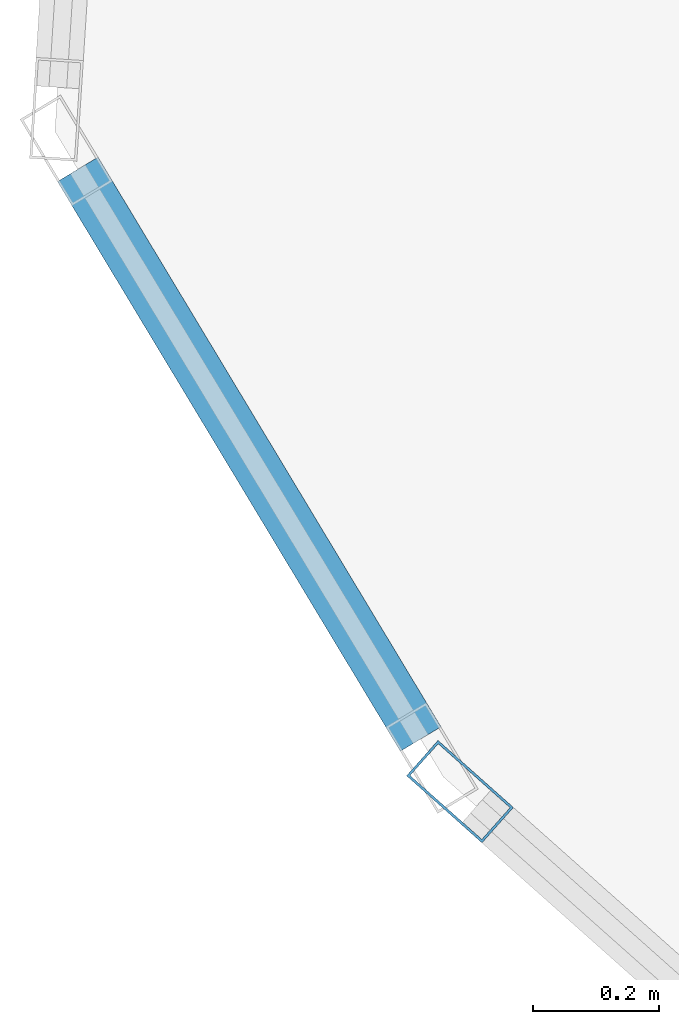
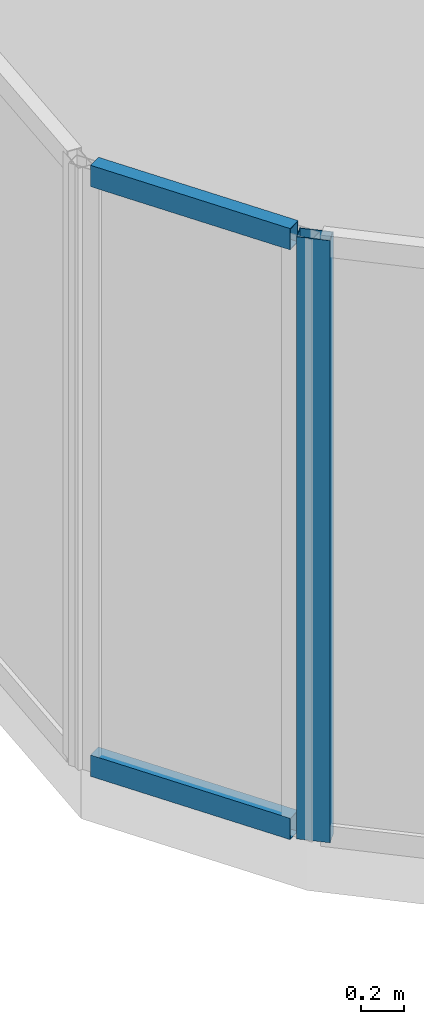
# One storey, part 4 of 27: 3 members, 2 elements without a shape of their own.
"""IFC4 building model written with IfcOpenShell, lengths in metres."""

from ifc_helpers import new_model, si_unit, direction, frame, origin, origin_2d, place, context, subcontext, project, spatial, hollow_rectangle, extrude, material, layer, layer_set, material_profile, profile_set, type_object, element, aggregate, save


model = new_model("IFC4")

# Units and contexts
model_context = context("Model", 3, precision=1e-05, world=origin(), true_north=direction((0.0, 1.0)))
body_context = subcontext(model_context, "Body", "Model", "MODEL_VIEW")
ifc_project = project(units=[si_unit("LENGTHUNIT", "METRE"), si_unit("AREAUNIT", "SQUARE_METRE"), si_unit("VOLUMEUNIT", "CUBIC_METRE"), si_unit("PLANEANGLEUNIT", "RADIAN"), si_unit("MASSUNIT", "GRAM", prefix="KILO")], contexts=[model_context])

# Site, building, storey
site_placement = place(None, origin())
site = spatial("IfcSite", under=ifc_project, at=site_placement, CompositionType="ELEMENT")
building_placement = place(site_placement, origin())
building = spatial("IfcBuilding", under=site, at=building_placement, Name="Keshet Zoharim Tower", CompositionType="ELEMENT")
storey_placement = place(building_placement, frame((0.0, 0.0, 288.0)))
storey = spatial("IfcBuildingStorey", under=building, at=storey_placement, Name="L72", CompositionType="ELEMENT", Elevation=288.0)

# Curtain wall, member
ifc_material = material(Name="Aluminium 6063-T6", Category="aluminium")
ifc_layer = layer(ifc_material, 0.260009765625)
ifc_layer_set = layer_set([ifc_layer], Name="Aluminium 6063-T6")
curtain_wall_type = type_object("IfcCurtainWallType", Name="CW-SYS-06", PredefinedType="NOTDEFINED", material=ifc_layer_set)
curtain_wall_1_placement = place(storey_placement, origin())
curtain_wall_1 = element("IfcCurtainWall", 1, at=curtain_wall_1_placement, inside=storey, type_object=curtain_wall_type, Name="L72 Unitised Curtain Wall 16 Part 3", PredefinedType="NOTDEFINED")
ifc_material_profile_1 = material_profile(ifc_material, hollow_rectangle(XDim=0.074951171875, YDim=0.159912109375, WallThickness=0.00390625, at=origin_2d()), Name="MUL-75x160")
ifc_profile_set_1 = profile_set([ifc_material_profile_1], Name="Aluminium 6063-T6")
member_type_1 = type_object("IfcMemberType", Name="CWM-M15", PredefinedType="MULLION", material=ifc_profile_set_1)
member_1_placement = place(storey_placement, frame((4.061279296875, 21.7568359375, 0.0), z_axis=(0.0, 0.0, 1.0), x_axis=(-0.664363838836, -0.747409318679, 0.0)))
member_1 = element("IfcMember", 2, at=member_1_placement, type_object=member_type_1, Name="CW-06 mullion 2", PredefinedType="MULLION", context=body_context, shape_type="SweptSolid", body=[
    extrude(hollow_rectangle(XDim=0.074951171875, YDim=0.159912109375, WallThickness=0.00390625, at=origin_2d()), origin(), (0.0, 0.0, 1.0), 3.389892578125),
])
aggregate(curtain_wall_1, [member_1])

# Curtain wall, members
curtain_wall_2_placement = place(storey_placement, origin())
curtain_wall_2 = element("IfcCurtainWall", 3, at=curtain_wall_2_placement, inside=storey, type_object=curtain_wall_type, Name="L72 Unitised Curtain Wall 01", PredefinedType="NOTDEFINED")
ifc_material_profile_2 = material_profile(ifc_material, hollow_rectangle(XDim=0.074951171875, YDim=0.1201171875, WallThickness=0.00390625, at=origin_2d()), Name="TRN-75x120")
ifc_profile_set_2 = profile_set([ifc_material_profile_2], Name="Aluminium 6063-T6")
member_type_2 = type_object("IfcMemberType", Name="CWT-T12", PredefinedType="USERDEFINED", material=ifc_profile_set_2)
member_2_placement = place(storey_placement, frame((3.9990234375, 21.840087890625, 0.034912109375), z_axis=(-0.515791194107, 0.856714330499, 0.0), x_axis=(-0.856714330499, -0.515791194107, 0.0)))
member_2 = element("IfcMember", 4, at=member_2_placement, type_object=member_type_2, Name="CW-06 transom 1.1", ObjectType="TRANSOM", PredefinedType="USERDEFINED", context=body_context, shape_type="SweptSolid", body=[
    extrude(hollow_rectangle(XDim=0.074951171875, YDim=0.1201171875, WallThickness=0.00390625, at=origin_2d()), origin(), (0.0, 0.0, 1.0), 1.052734375),
])
member_3_placement = place(storey_placement, frame((3.9990234375, 21.840087890625, 3.35498046875), z_axis=(-0.515791194107, 0.856714330499, 0.0), x_axis=(-0.856714330499, -0.515791194107, 0.0)))
member_3 = element("IfcMember", 5, at=member_3_placement, type_object=member_type_2, Name="CW-06 transom 1.2", ObjectType="TRANSOM", PredefinedType="USERDEFINED", context=body_context, shape_type="SweptSolid", body=[
    extrude(hollow_rectangle(XDim=0.074951171875, YDim=0.1201171875, WallThickness=0.00390625, at=origin_2d()), origin(), (0.0, 0.0, 1.0), 1.052734375),
])
aggregate(curtain_wall_2, [member_2, member_3])

save(model, "model.ifc")
